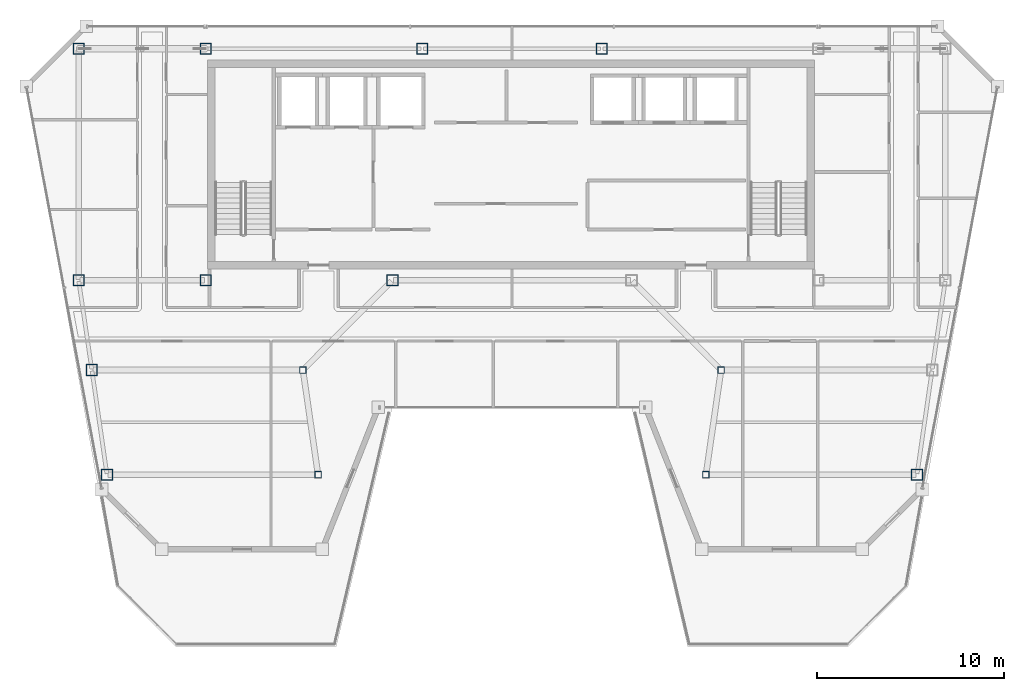
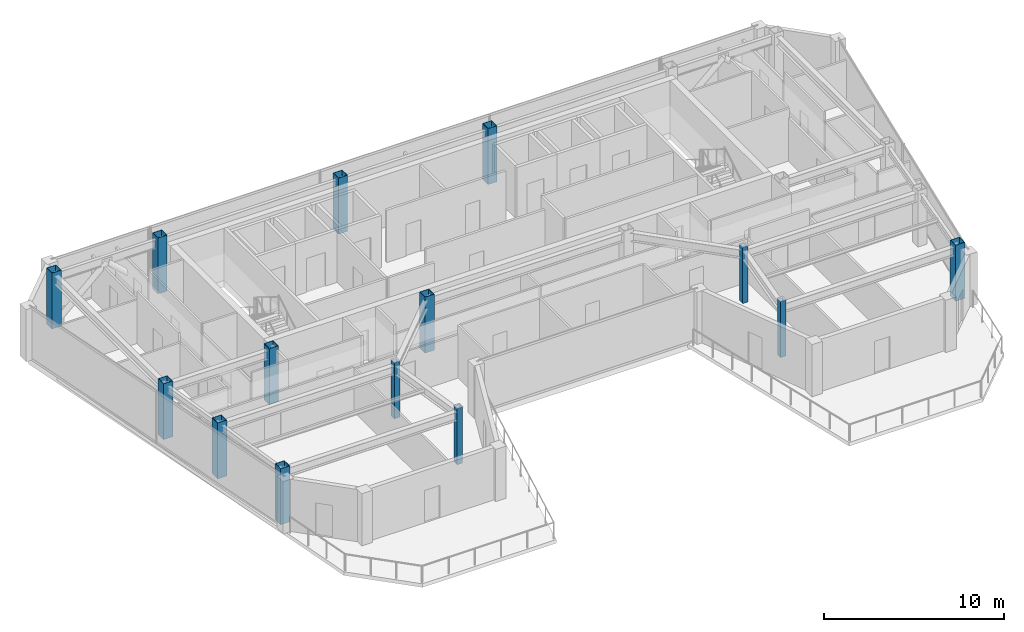
# One storey, part 1 of 25: 14 columns.
"""IFC4 building model written with IfcOpenShell, lengths in metres."""

import ifcopenshell
import ifcopenshell.guid

model = None  # the IFC model being written
_history = None  # IfcOwnerHistory: only IFC2X3 demands one
_inside = {}  # id of a spatial element -> (the spatial element, [elements in it])
_under = {}  # id of a project, library or spatial element -> (it, [spatial elements below it])
_declared = {}  # id of a project -> (the project, [libraries it declares])
_typed = {}  # id of a type object -> (the type object, [elements of that type])
_made_of = {}  # id of a material, layer set ... -> (it, [elements and type objects made of it])


def new_model(schema):
    """Start an empty IFC model of exactly this schema.

    Asked for "IFC4X3", IfcOpenShell would pick the latest addendum, in which some entities
    have other attributes; the version numbers below select the first issue.
    IFC2X3 requires an IfcOwnerHistory on every rooted entity: one is made here for all.
    """
    global model, _history
    if schema == "IFC4X3":
        model = ifcopenshell.file(schema_version=(4, 3, 0, 0))
    else:
        model = ifcopenshell.file(schema=schema)
    _inside.clear()
    _under.clear()
    _declared.clear()
    _typed.clear()
    _made_of.clear()
    _history = None
    if model.schema == "IFC2X3":
        org = make("IfcOrganization", Name="unknown")
        user = make(
            "IfcPersonAndOrganization",
            ThePerson=make("IfcPerson", FamilyName="unknown"),
            TheOrganization=org,
        )
        app = make(
            "IfcApplication",
            ApplicationDeveloper=org,
            Version="unknown",
            ApplicationFullName="unknown",
            ApplicationIdentifier="unknown",
        )
        _history = make(
            "IfcOwnerHistory",
            OwningUser=user,
            OwningApplication=app,
            ChangeAction="ADDED",
            CreationDate=0,
        )
    return model


def make(cls, **values):
    """One entity of the class cls with the attributes given. An attribute that is None is left unset."""
    return model.create_entity(
        cls, **{name: value for name, value in values.items() if value is not None}
    )


def rooted(cls, **values):
    """An entity with a GlobalId (a new one), such as an element, a storey or a relation."""
    return make(cls, GlobalId=ifcopenshell.guid.new(), OwnerHistory=_history, **values)


def si_unit(unit_type, name, prefix=None):
    """IfcSIUnit, for example si_unit("LENGTHUNIT", "METRE", prefix="MILLI")."""
    return make("IfcSIUnit", UnitType=unit_type, Prefix=prefix, Name=name)


def assignment(units):
    """IfcUnitAssignment: the units of a project."""
    return None if units is None else make("IfcUnitAssignment", Units=units)


def point(xyz):
    """IfcCartesianPoint."""
    return None if xyz is None else make("IfcCartesianPoint", Coordinates=xyz)


def direction(xyz):
    """IfcDirection."""
    return None if xyz is None else make("IfcDirection", DirectionRatios=xyz)


def frame(location, z_axis=None, x_axis=None):
    """IfcAxis2Placement3D, a coordinate frame: its origin and axes. An axis left out is left unset."""
    return make(
        "IfcAxis2Placement3D",
        Location=point(location),
        Axis=direction(z_axis),
        RefDirection=direction(x_axis),
    )


def frame_2d(location, x_axis=None):
    """IfcAxis2Placement2D, a coordinate frame in the plane: its origin and x axis."""
    return make(
        "IfcAxis2Placement2D", Location=point(location), RefDirection=direction(x_axis)
    )


def origin():
    """The frame at (0, 0, 0) with its axes left unset."""
    return frame((0.0, 0.0, 0.0))


def origin_2d():
    """The frame at (0, 0) in the plane with its x axis left unset."""
    return frame_2d((0.0, 0.0))


def place(relative_to, where):
    """IfcLocalPlacement: puts the frame where relative to a parent placement (None: the world)."""
    return make(
        "IfcLocalPlacement", PlacementRelTo=relative_to, RelativePlacement=where
    )


def context(
    kind, dimensions, precision=None, world=None, true_north=None, identifier=None
):
    """IfcGeometricRepresentationContext, for example the 3D "Model" context."""
    return make(
        "IfcGeometricRepresentationContext",
        ContextIdentifier=identifier,
        ContextType=kind,
        CoordinateSpaceDimension=dimensions,
        Precision=precision,
        WorldCoordinateSystem=world,
        TrueNorth=true_north,
    )


def subcontext(parent, identifier, kind, view, scale=None):
    """IfcGeometricRepresentationSubContext, for example "Body" below "Model"."""
    return make(
        "IfcGeometricRepresentationSubContext",
        ContextIdentifier=identifier,
        ContextType=kind,
        ParentContext=parent,
        TargetScale=scale,
        TargetView=view,
    )


def project(units=None, contexts=None):
    """IfcProject with its units and contexts."""
    return rooted(
        "IfcProject",
        Name="project",
        RepresentationContexts=contexts,
        UnitsInContext=assignment(units),
    )


def spatial(cls, under=None, at=None, **own):
    """A site, building, storey or space (cls), placed at a placement, below another one or the project."""
    s = rooted(cls, ObjectPlacement=at, **own)
    if under is not None:
        _under.setdefault(under.id(), (under, []))[1].append(s)
    return s


def profile(cls, at=None, kind="AREA", **sizes):
    """A parametric profile (cls). Its sizes go by their IFC names, for example OverallWidth=200.0."""
    return make(cls, ProfileType=kind, Position=at, **sizes)


def hollow_rectangle(**sizes):
    """IfcRectangleHollowProfileDef."""
    return profile("IfcRectangleHollowProfileDef", **sizes)


def extrude(swept, where, along, depth):
    """IfcExtrudedAreaSolid: the profile swept, set in the frame where, extruded along a direction by depth."""
    return make(
        "IfcExtrudedAreaSolid",
        SweptArea=swept,
        Position=where,
        ExtrudedDirection=direction(along),
        Depth=depth,
    )


def shape(context_of_items, identifier, shape_type, items):
    """IfcShapeRepresentation: the items that make up one representation, for example the "Body"."""
    return make(
        "IfcShapeRepresentation",
        ContextOfItems=context_of_items,
        RepresentationIdentifier=identifier,
        RepresentationType=shape_type,
        Items=items,
    )


def material(Name=None, Category=None):
    """IfcMaterial."""
    return make("IfcMaterial", Name=Name, Category=Category)


def material_profile(
    of_material, cross_section, Name=None, Category=None, Priority=None
):
    """IfcMaterialProfile: a cross section and its material."""
    return make(
        "IfcMaterialProfile",
        Name=Name,
        Material=of_material,
        Profile=cross_section,
        Priority=Priority,
        Category=Category,
    )


def profile_set(profiles, Name=None, composite=None):
    """IfcMaterialProfileSet."""
    return make(
        "IfcMaterialProfileSet",
        Name=Name,
        MaterialProfiles=profiles,
        CompositeProfile=composite,
    )


def made_of(thing, what):
    """Note that an element or type object is made of a material, layer set ...; save() writes the relation."""
    if what is not None:
        _made_of.setdefault(what.id(), (what, []))[1].append(thing)
    return thing


def type_object(cls, material=None, **own):
    """A type object (cls), such as IfcWallType, which elements share."""
    return made_of(rooted(cls, **own), material)


def element(
    cls,
    number,
    at=None,
    inside=None,
    cuts=None,
    type_object=None,
    material=None,
    context=None,
    identifier="Body",
    shape_type=None,
    held_by="IfcProductDefinitionShape",
    body=None,
    shapes=None,
    **own,
):
    """One element of the class cls, such as IfcWall. Its Tag is "e" and its number.

    at: its placement. inside: the storey or other place that contains it. cuts: it is an
    opening in that element (IfcRelVoidsElement). A single representation is given by context,
    identifier, shape_type and body (its items); several are given by shapes. held_by: the class
    of the entity that holds the representations. save() writes the other relations.
    """
    e = rooted(cls, Tag="e%d" % number, ObjectPlacement=at, **own)
    if body is not None:
        shapes = [shape(context, identifier, shape_type, body)]
    if shapes is not None:
        e.Representation = make(held_by, Representations=shapes)
    if inside is not None:
        _inside.setdefault(inside.id(), (inside, []))[1].append(e)
    if cuts is not None:
        rooted(
            "IfcRelVoidsElement", RelatingBuildingElement=cuts, RelatedOpeningElement=e
        )
    if type_object is not None:
        _typed.setdefault(type_object.id(), (type_object, []))[1].append(e)
    return made_of(e, material)


def aggregate(whole, parts):
    """IfcRelAggregates: a whole, such as a stair, and the parts it consists of."""
    return rooted("IfcRelAggregates", RelatingObject=whole, RelatedObjects=parts)


def save(model, path):
    """Write the relations noted so far, then the file.

    IfcRelAggregates (storeys below a building ...), IfcRelContainedInSpatialStructure (elements
    in a storey), IfcRelDefinesByType, IfcRelAssociatesMaterial and IfcRelDeclares: one each for
    every whole, place, type object, material and project.
    """
    for whole, parts in _under.values():
        aggregate(whole, parts)
    for where, things in _inside.values():
        rooted(
            "IfcRelContainedInSpatialStructure",
            RelatedElements=things,
            RelatingStructure=where,
        )
    for kind, things in _typed.values():
        rooted("IfcRelDefinesByType", RelatedObjects=things, RelatingType=kind)
    for what, things in _made_of.values():
        rooted("IfcRelAssociatesMaterial", RelatedObjects=things, RelatingMaterial=what)
    for by, libraries in _declared.values():
        rooted("IfcRelDeclares", RelatingContext=by, RelatedDefinitions=libraries)
    model.write(path)


model = new_model("IFC4")

# Units and contexts
model_context = context("Model", 3, precision=1e-05, world=origin(), true_north=direction((0.0, 1.0)))
body_context = subcontext(model_context, "Body", "Model", "MODEL_VIEW")
ifc_project = project(units=[si_unit("LENGTHUNIT", "METRE"), si_unit("AREAUNIT", "SQUARE_METRE"), si_unit("VOLUMEUNIT", "CUBIC_METRE"), si_unit("PLANEANGLEUNIT", "RADIAN"), si_unit("MASSUNIT", "GRAM", prefix="KILO")], contexts=[model_context])

# Site, building, storey
site_placement = place(None, origin())
site = spatial("IfcSite", under=ifc_project, at=site_placement, CompositionType="ELEMENT")
building_placement = place(site_placement, origin())
building = spatial("IfcBuilding", under=site, at=building_placement, Name="Saevonmaru Cultural Tower", CompositionType="ELEMENT")
storey_placement = place(building_placement, frame((0.0, 0.0, 276.199951171875)))
storey = spatial("IfcBuildingStorey", under=building, at=storey_placement, Name="L65", CompositionType="ELEMENT", Elevation=276.199951171875)

# Columns
ifc_material = material(Name="Steel SM355", Category="steel")
ifc_material_profile_1 = material_profile(ifc_material, hollow_rectangle(XDim=0.60009765625, YDim=0.60009765625, WallThickness=0.028076171875, at=origin_2d()), Name="BOX-600x600x28")
ifc_profile_set_1 = profile_set([ifc_material_profile_1], Name="Steel SM355")
column_type_1 = type_object("IfcColumnType", Name="COL-BOX-600", PredefinedType="COLUMN", material=ifc_profile_set_1)
for number, where, z_axis, x_axis, name in (
    (1, (6.800048828125, 54.800048828125, 0.0), (0.0, 0.0, 1.0), (1.0, 0.0, 0.0), "L65 Column TC-N1N"),
    (2, (13.60009765625, 54.800048828125, 0.0), (0.0, 0.0, 1.0), (1.0, 0.0, 0.0), "L65 Column TC-N2N"),
    (3, (25.199951171875, 54.800048828125, 0.0), (0.0, 0.0, 1.0), (1.0, 0.0, 0.0), "L65 Column TC-N3N"),
    (4, (34.800048828125, 54.800048828125, 0.0), (0.0, 0.0, 1.0), (1.0, 0.0, 0.0), "L65 Column TC-N4N"),
    (5, (6.800048828125, 42.39990234375, 0.0), (0.0, 0.0, 1.0), (1.0, 0.0, 0.0), "L65 Column TC-S1C"),
    (6, (13.60009765625, 42.39990234375, 0.0), (0.0, 0.0, 1.0), (1.0, 0.0, 0.0), "L65 Column TC-S2C"),
    (7, (23.60009765625, 42.39990234375, 0.0), (0.0, 0.0, 1.0), (1.0, 0.0, 0.0), "L65 Column TC-S3C"),
    (8, (8.31689453125, 32.0, 0.0), (0.0, 0.0, 1.0), (1.0, 0.0, 0.0), "L65 Column TC-WO-Y320"),
    (9, (51.68310546875, 32.0, 0.0), (0.0, 0.0, 1.0), (1.0, 0.0, 0.0), "L65 Column TC-EO-Y320"),
    (10, (7.508056640625, 37.60009765625, 0.0), (0.0, 0.0, 1.0), (1.0, 0.0, 0.0), "L65 Column TC-WO-Y376"),
):
    element("IfcColumn", number, at=place(storey_placement, frame(where, z_axis=z_axis, x_axis=x_axis)), inside=storey, type_object=column_type_1, Name=name, PredefinedType="COLUMN", context=body_context, shape_type="SweptSolid", body=[
        extrude(hollow_rectangle(XDim=0.60009765625, YDim=0.60009765625, WallThickness=0.028076171875, at=origin_2d()), origin(), (0.0, 0.0, 1.0), 3.800048828125),
    ])
ifc_material_profile_2 = material_profile(ifc_material, hollow_rectangle(XDim=0.35009765625, YDim=0.35009765625, WallThickness=0.01611328125, at=origin_2d()), Name="SHS-350x350x16")
ifc_profile_set_2 = profile_set([ifc_material_profile_2], Name="Steel SM355")
column_type_2 = type_object("IfcColumnType", Name="COL-SHS-350", PredefinedType="COLUMN", material=ifc_profile_set_2)
for number, where, z_axis, x_axis, name in (
    (11, (19.616943359375, 32.0, 0.0), (0.0, 0.0, 1.0), (1.0, 0.0, 0.0), "L65 Column TC-WI-Y320"),
    (12, (40.383056640625, 32.0, 0.0), (0.0, 0.0, 1.0), (1.0, 0.0, 0.0), "L65 Column TC-EI-Y320"),
    (13, (18.80810546875, 37.60009765625, 0.0), (0.0, 0.0, 1.0), (1.0, 0.0, 0.0), "L65 Column TC-WI-Y376"),
    (14, (41.19189453125, 37.60009765625, 0.0), (0.0, 0.0, 1.0), (1.0, 0.0, 0.0), "L65 Column TC-EI-Y376"),
):
    element("IfcColumn", number, at=place(storey_placement, frame(where, z_axis=z_axis, x_axis=x_axis)), inside=storey, type_object=column_type_2, Name=name, PredefinedType="COLUMN", context=body_context, shape_type="SweptSolid", body=[
        extrude(hollow_rectangle(XDim=0.35009765625, YDim=0.35009765625, WallThickness=0.01611328125, at=origin_2d()), origin(), (0.0, 0.0, 1.0), 3.800048828125),
    ])

save(model, "model.ifc")
